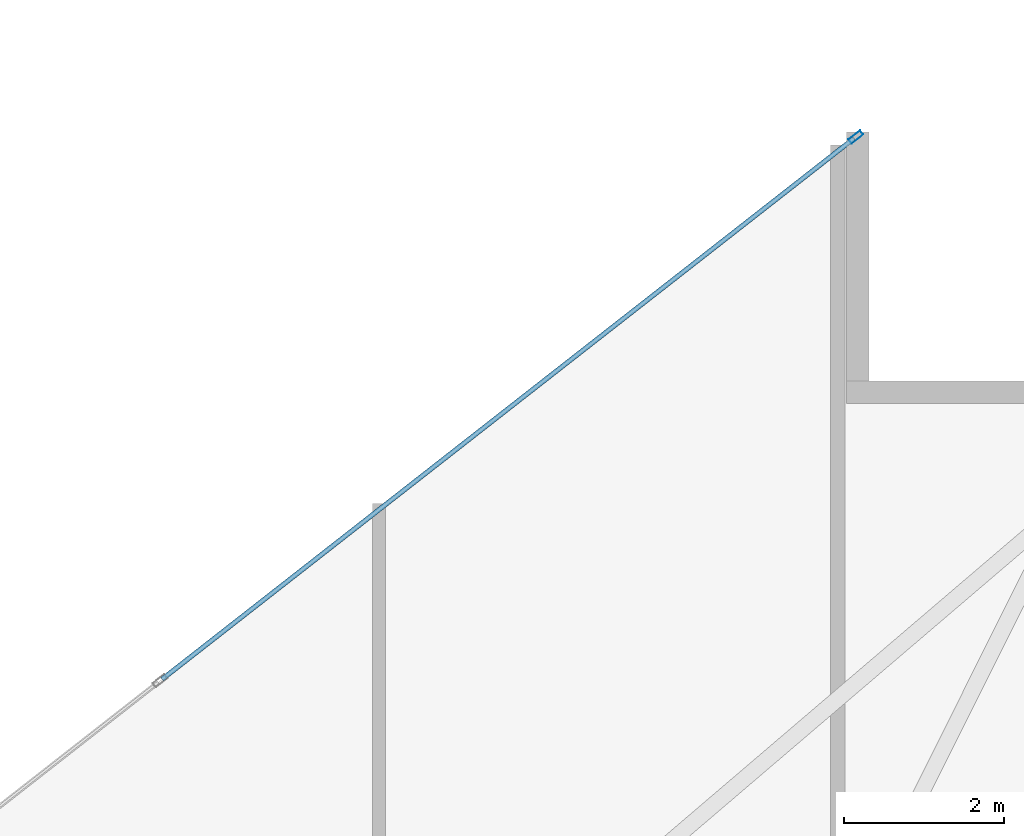
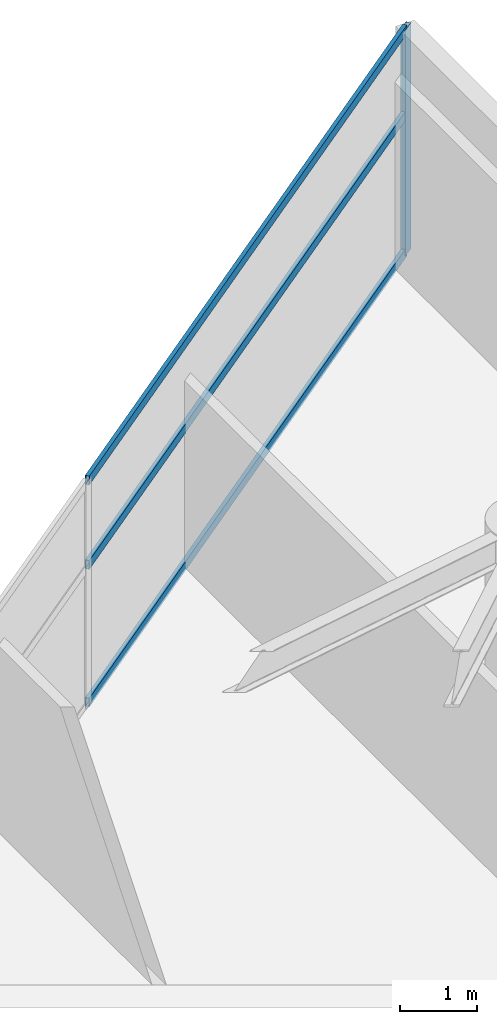
# One storey, part 21 of 29: 4 members, 1 element without a shape of its own.
"""IFC4 building model written with IfcOpenShell, lengths in metres."""

from ifc_helpers import new_model, si_unit, direction, frame, origin, origin_2d, place, context, subcontext, project, spatial, hollow_rectangle, extrude, material, layer, layer_set, material_profile, profile_set, type_object, element, aggregate, save


model = new_model("IFC4")

# Units and contexts
model_context = context("Model", 3, precision=1e-05, world=origin(), true_north=direction((0.0, 1.0)))
body_context = subcontext(model_context, "Body", "Model", "MODEL_VIEW")
ifc_project = project(units=[si_unit("LENGTHUNIT", "METRE"), si_unit("AREAUNIT", "SQUARE_METRE"), si_unit("VOLUMEUNIT", "CUBIC_METRE"), si_unit("PLANEANGLEUNIT", "RADIAN"), si_unit("MASSUNIT", "GRAM", prefix="KILO")], contexts=[model_context])

# Site, building, storey
site_placement = place(None, origin())
site = spatial("IfcSite", under=ifc_project, at=site_placement, CompositionType="ELEMENT")
building_placement = place(site_placement, origin())
building = spatial("IfcBuilding", under=site, at=building_placement, Name="Calvorn Quay Hotel", CompositionType="ELEMENT")
storey_placement = place(building_placement, frame((0.0, 0.0, 211.0)))
storey = spatial("IfcBuildingStorey", under=building, at=storey_placement, Name="L52", CompositionType="ELEMENT", Elevation=211.0)

# Curtain wall, members
ifc_material_1 = material(Name="Champagne Bronze Anodised Aluminium and Low-E Glass", Category="aluminium")
ifc_layer = layer(ifc_material_1, 0.219970703125)
ifc_layer_set = layer_set([ifc_layer], Name="CW-SYS-Z3")
curtain_wall_type = type_object("IfcCurtainWallType", Name="CW-SYS-Z3", PredefinedType="NOTDEFINED", material=ifc_layer_set)
curtain_wall_placement = place(storey_placement, origin())
curtain_wall = element("IfcCurtainWall", 1, at=curtain_wall_placement, inside=storey, type_object=curtain_wall_type, Name="Inner Court Curtain Wall L52-NE1", PredefinedType="NOTDEFINED")
ifc_material_2 = material(Name="Champagne Bronze Anodised Aluminium 6063-T6", Category="aluminium")
ifc_material_profile_1 = material_profile(ifc_material_2, hollow_rectangle(XDim=0.068115234375, YDim=0.18505859375, WallThickness=0.00390625, at=origin_2d()), Name="ALU-M185x68x4")
ifc_profile_set_1 = profile_set([ifc_material_profile_1], Name="Champagne Bronze Anodised Aluminium 6063-T6")
member_type_1 = type_object("IfcMemberType", Name="CW-SYS-Z3-MUL", PredefinedType="MULLION", material=ifc_profile_set_1)
member_1_placement = place(storey_placement, frame((38.976318359375, 37.9814453125, 0.0), z_axis=(0.0, 0.0, 1.0), x_axis=(0.615819768044, -0.787887056174, 0.0)))
member_1 = element("IfcMember", 2, at=member_1_placement, type_object=member_type_1, Name="CW-L52-NE1 mullion 1", PredefinedType="MULLION", context=body_context, shape_type="SweptSolid", body=[
    extrude(hollow_rectangle(XDim=0.068115234375, YDim=0.18505859375, WallThickness=0.00390625, at=origin_2d()), origin(), (0.0, 0.0, 1.0), 3.56005859375),
])
ifc_material_3 = material(Name="Champagne Bronze Anodised Aluminium 6063-T6", Category="aluminium")
ifc_material_profile_2 = material_profile(ifc_material_3, hollow_rectangle(XDim=0.05810546875, YDim=0.139892578125, WallThickness=0.003173828125, at=origin_2d()), Name="ALU-T140x58x3.2")
ifc_profile_set_2 = profile_set([ifc_material_profile_2], Name="Champagne Bronze Anodised Aluminium 6063-T6")
member_type_2 = type_object("IfcMemberType", Name="CW-SYS-Z3-TRN", PredefinedType="USERDEFINED", material=ifc_profile_set_2)
member_2_placement = place(storey_placement, frame((38.95263671875, 37.963134765625, 0.030029296875), z_axis=(-0.787878353679, -0.615830901956, 0.0), x_axis=(0.615830901956, -0.787878353679, 0.0)))
member_2 = element("IfcMember", 3, at=member_2_placement, type_object=member_type_2, Name="CW-L52-NE1 transom 1.1", ObjectType="TRANSOM", PredefinedType="USERDEFINED", context=body_context, shape_type="SweptSolid", body=[
    extrude(hollow_rectangle(XDim=0.05810546875, YDim=0.139892578125, WallThickness=0.003173828125, at=origin_2d()), origin(), (0.0, 0.0, 1.0), 10.9521484375),
])
member_3_placement = place(storey_placement, frame((38.95263671875, 37.963134765625, 2.199951171875), z_axis=(-0.787878353679, -0.615830901956, 0.0), x_axis=(0.615830901956, -0.787878353679, 0.0)))
member_3 = element("IfcMember", 4, at=member_3_placement, type_object=member_type_2, Name="CW-L52-NE1 transom 1.2", ObjectType="TRANSOM", PredefinedType="USERDEFINED", context=body_context, shape_type="SweptSolid", body=[
    extrude(hollow_rectangle(XDim=0.05810546875, YDim=0.139892578125, WallThickness=0.003173828125, at=origin_2d()), origin(), (0.0, 0.0, 1.0), 10.9521484375),
])
member_4_placement = place(storey_placement, frame((38.95263671875, 37.963134765625, 3.530029296875), z_axis=(-0.787878353679, -0.615830901956, 0.0), x_axis=(0.615830901956, -0.787878353679, 0.0)))
member_4 = element("IfcMember", 5, at=member_4_placement, type_object=member_type_2, Name="CW-L52-NE1 transom 1.3", ObjectType="TRANSOM", PredefinedType="USERDEFINED", context=body_context, shape_type="SweptSolid", body=[
    extrude(hollow_rectangle(XDim=0.05810546875, YDim=0.139892578125, WallThickness=0.003173828125, at=origin_2d()), origin(), (0.0, 0.0, 1.0), 10.9521484375),
])
aggregate(curtain_wall, [member_1, member_2, member_3, member_4])

save(model, "model.ifc")
